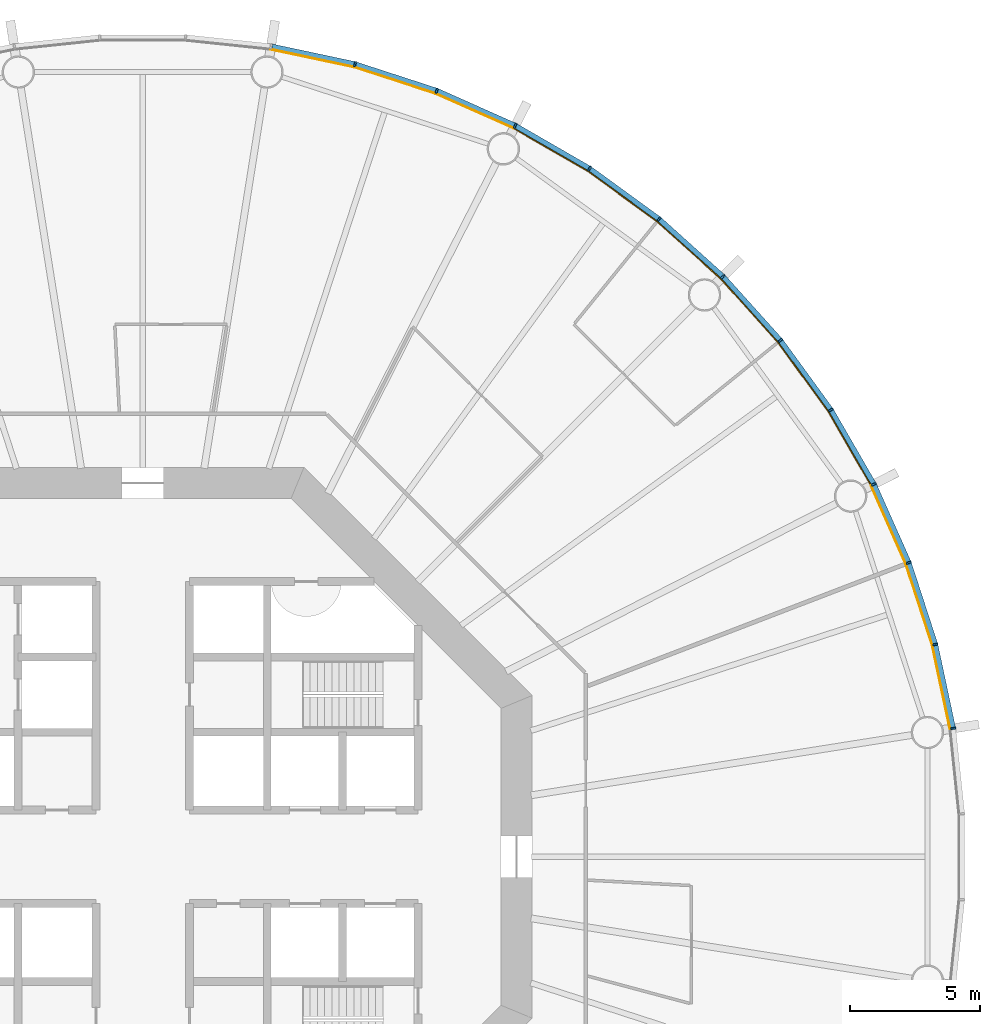
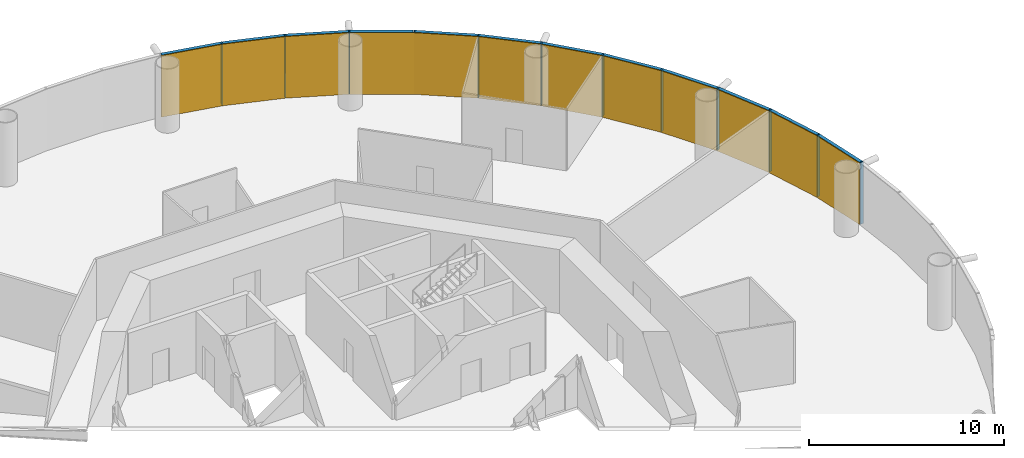
# One storey, part 12 of 13: 24 members, 4 curtain walls.
"""IFC4 building model written with IfcOpenShell, lengths in metres."""

import ifcopenshell
import ifcopenshell.guid

model = None  # the IFC model being written
_history = None  # IfcOwnerHistory: only IFC2X3 demands one
_inside = {}  # id of a spatial element -> (the spatial element, [elements in it])
_under = {}  # id of a project, library or spatial element -> (it, [spatial elements below it])
_declared = {}  # id of a project -> (the project, [libraries it declares])
_typed = {}  # id of a type object -> (the type object, [elements of that type])
_made_of = {}  # id of a material, layer set ... -> (it, [elements and type objects made of it])


def new_model(schema):
    """Start an empty IFC model of exactly this schema.

    Asked for "IFC4X3", IfcOpenShell would pick the latest addendum, in which some entities
    have other attributes; the version numbers below select the first issue.
    IFC2X3 requires an IfcOwnerHistory on every rooted entity: one is made here for all.
    """
    global model, _history
    if schema == "IFC4X3":
        model = ifcopenshell.file(schema_version=(4, 3, 0, 0))
    else:
        model = ifcopenshell.file(schema=schema)
    _inside.clear()
    _under.clear()
    _declared.clear()
    _typed.clear()
    _made_of.clear()
    _history = None
    if model.schema == "IFC2X3":
        org = make("IfcOrganization", Name="unknown")
        user = make(
            "IfcPersonAndOrganization",
            ThePerson=make("IfcPerson", FamilyName="unknown"),
            TheOrganization=org,
        )
        app = make(
            "IfcApplication",
            ApplicationDeveloper=org,
            Version="unknown",
            ApplicationFullName="unknown",
            ApplicationIdentifier="unknown",
        )
        _history = make(
            "IfcOwnerHistory",
            OwningUser=user,
            OwningApplication=app,
            ChangeAction="ADDED",
            CreationDate=0,
        )
    return model


def make(cls, **values):
    """One entity of the class cls with the attributes given. An attribute that is None is left unset."""
    return model.create_entity(
        cls, **{name: value for name, value in values.items() if value is not None}
    )


def rooted(cls, **values):
    """An entity with a GlobalId (a new one), such as an element, a storey or a relation."""
    return make(cls, GlobalId=ifcopenshell.guid.new(), OwnerHistory=_history, **values)


def si_unit(unit_type, name, prefix=None):
    """IfcSIUnit, for example si_unit("LENGTHUNIT", "METRE", prefix="MILLI")."""
    return make("IfcSIUnit", UnitType=unit_type, Prefix=prefix, Name=name)


def assignment(units):
    """IfcUnitAssignment: the units of a project."""
    return None if units is None else make("IfcUnitAssignment", Units=units)


def point(xyz):
    """IfcCartesianPoint."""
    return None if xyz is None else make("IfcCartesianPoint", Coordinates=xyz)


def direction(xyz):
    """IfcDirection."""
    return None if xyz is None else make("IfcDirection", DirectionRatios=xyz)


def frame(location, z_axis=None, x_axis=None):
    """IfcAxis2Placement3D, a coordinate frame: its origin and axes. An axis left out is left unset."""
    return make(
        "IfcAxis2Placement3D",
        Location=point(location),
        Axis=direction(z_axis),
        RefDirection=direction(x_axis),
    )


def frame_2d(location, x_axis=None):
    """IfcAxis2Placement2D, a coordinate frame in the plane: its origin and x axis."""
    return make(
        "IfcAxis2Placement2D", Location=point(location), RefDirection=direction(x_axis)
    )


def origin():
    """The frame at (0, 0, 0) with its axes left unset."""
    return frame((0.0, 0.0, 0.0))


def origin_2d():
    """The frame at (0, 0) in the plane with its x axis left unset."""
    return frame_2d((0.0, 0.0))


def place(relative_to, where):
    """IfcLocalPlacement: puts the frame where relative to a parent placement (None: the world)."""
    return make(
        "IfcLocalPlacement", PlacementRelTo=relative_to, RelativePlacement=where
    )


def context(
    kind, dimensions, precision=None, world=None, true_north=None, identifier=None
):
    """IfcGeometricRepresentationContext, for example the 3D "Model" context."""
    return make(
        "IfcGeometricRepresentationContext",
        ContextIdentifier=identifier,
        ContextType=kind,
        CoordinateSpaceDimension=dimensions,
        Precision=precision,
        WorldCoordinateSystem=world,
        TrueNorth=true_north,
    )


def subcontext(parent, identifier, kind, view, scale=None):
    """IfcGeometricRepresentationSubContext, for example "Body" below "Model"."""
    return make(
        "IfcGeometricRepresentationSubContext",
        ContextIdentifier=identifier,
        ContextType=kind,
        ParentContext=parent,
        TargetScale=scale,
        TargetView=view,
    )


def project(units=None, contexts=None):
    """IfcProject with its units and contexts."""
    return rooted(
        "IfcProject",
        Name="project",
        RepresentationContexts=contexts,
        UnitsInContext=assignment(units),
    )


def spatial(cls, under=None, at=None, **own):
    """A site, building, storey or space (cls), placed at a placement, below another one or the project."""
    s = rooted(cls, ObjectPlacement=at, **own)
    if under is not None:
        _under.setdefault(under.id(), (under, []))[1].append(s)
    return s


def polyline(points):
    """IfcPolyline through the points."""
    return make("IfcPolyline", Points=[point(p) for p in points])


def profile(cls, at=None, kind="AREA", **sizes):
    """A parametric profile (cls). Its sizes go by their IFC names, for example OverallWidth=200.0."""
    return make(cls, ProfileType=kind, Position=at, **sizes)


def rectangle(**sizes):
    """IfcRectangleProfileDef."""
    return profile("IfcRectangleProfileDef", **sizes)


def outline(outer, holes=None, kind="AREA"):
    """IfcArbitraryClosedProfileDef: a profile drawn as a closed curve; with holes, ...WithVoids."""
    if holes is None:
        return make("IfcArbitraryClosedProfileDef", ProfileType=kind, OuterCurve=outer)
    return make(
        "IfcArbitraryProfileDefWithVoids",
        ProfileType=kind,
        OuterCurve=outer,
        InnerCurves=holes,
    )


def extrude(swept, where, along, depth):
    """IfcExtrudedAreaSolid: the profile swept, set in the frame where, extruded along a direction by depth."""
    return make(
        "IfcExtrudedAreaSolid",
        SweptArea=swept,
        Position=where,
        ExtrudedDirection=direction(along),
        Depth=depth,
    )


def shape(context_of_items, identifier, shape_type, items):
    """IfcShapeRepresentation: the items that make up one representation, for example the "Body"."""
    return make(
        "IfcShapeRepresentation",
        ContextOfItems=context_of_items,
        RepresentationIdentifier=identifier,
        RepresentationType=shape_type,
        Items=items,
    )


def material(Name=None, Category=None):
    """IfcMaterial."""
    return make("IfcMaterial", Name=Name, Category=Category)


def layer(
    of_material, thickness, ventilated=None, Name=None, Category=None, Priority=None
):
    """IfcMaterialLayer: one layer of a wall or slab, of a material (None: an air gap)."""
    return make(
        "IfcMaterialLayer",
        Material=of_material,
        LayerThickness=thickness,
        IsVentilated=ventilated,
        Name=Name,
        Category=Category,
        Priority=Priority,
    )


def layer_set(layers, Name=None):
    """IfcMaterialLayerSet."""
    return make("IfcMaterialLayerSet", MaterialLayers=layers, LayerSetName=Name)


def material_profile(
    of_material, cross_section, Name=None, Category=None, Priority=None
):
    """IfcMaterialProfile: a cross section and its material."""
    return make(
        "IfcMaterialProfile",
        Name=Name,
        Material=of_material,
        Profile=cross_section,
        Priority=Priority,
        Category=Category,
    )


def profile_set(profiles, Name=None, composite=None):
    """IfcMaterialProfileSet."""
    return make(
        "IfcMaterialProfileSet",
        Name=Name,
        MaterialProfiles=profiles,
        CompositeProfile=composite,
    )


def made_of(thing, what):
    """Note that an element or type object is made of a material, layer set ...; save() writes the relation."""
    if what is not None:
        _made_of.setdefault(what.id(), (what, []))[1].append(thing)
    return thing


def type_object(cls, material=None, **own):
    """A type object (cls), such as IfcWallType, which elements share."""
    return made_of(rooted(cls, **own), material)


def element(
    cls,
    number,
    at=None,
    inside=None,
    cuts=None,
    type_object=None,
    material=None,
    context=None,
    identifier="Body",
    shape_type=None,
    held_by="IfcProductDefinitionShape",
    body=None,
    shapes=None,
    **own,
):
    """One element of the class cls, such as IfcWall. Its Tag is "e" and its number.

    at: its placement. inside: the storey or other place that contains it. cuts: it is an
    opening in that element (IfcRelVoidsElement). A single representation is given by context,
    identifier, shape_type and body (its items); several are given by shapes. held_by: the class
    of the entity that holds the representations. save() writes the other relations.
    """
    e = rooted(cls, Tag="e%d" % number, ObjectPlacement=at, **own)
    if body is not None:
        shapes = [shape(context, identifier, shape_type, body)]
    if shapes is not None:
        e.Representation = make(held_by, Representations=shapes)
    if inside is not None:
        _inside.setdefault(inside.id(), (inside, []))[1].append(e)
    if cuts is not None:
        rooted(
            "IfcRelVoidsElement", RelatingBuildingElement=cuts, RelatedOpeningElement=e
        )
    if type_object is not None:
        _typed.setdefault(type_object.id(), (type_object, []))[1].append(e)
    return made_of(e, material)


def aggregate(whole, parts):
    """IfcRelAggregates: a whole, such as a stair, and the parts it consists of."""
    return rooted("IfcRelAggregates", RelatingObject=whole, RelatedObjects=parts)


def save(model, path):
    """Write the relations noted so far, then the file.

    IfcRelAggregates (storeys below a building ...), IfcRelContainedInSpatialStructure (elements
    in a storey), IfcRelDefinesByType, IfcRelAssociatesMaterial and IfcRelDeclares: one each for
    every whole, place, type object, material and project.
    """
    for whole, parts in _under.values():
        aggregate(whole, parts)
    for where, things in _inside.values():
        rooted(
            "IfcRelContainedInSpatialStructure",
            RelatedElements=things,
            RelatingStructure=where,
        )
    for kind, things in _typed.values():
        rooted("IfcRelDefinesByType", RelatedObjects=things, RelatingType=kind)
    for what, things in _made_of.values():
        rooted("IfcRelAssociatesMaterial", RelatedObjects=things, RelatingMaterial=what)
    for by, libraries in _declared.values():
        rooted("IfcRelDeclares", RelatingContext=by, RelatedDefinitions=libraries)
    model.write(path)


model = new_model("IFC4")

# Units and contexts
model_context = context("Model", 3, precision=1e-05, world=origin(), true_north=direction((0.0, 1.0)))
body_context = subcontext(model_context, "Body", "Model", "MODEL_VIEW")
ifc_project = project(units=[si_unit("LENGTHUNIT", "METRE"), si_unit("AREAUNIT", "SQUARE_METRE"), si_unit("VOLUMEUNIT", "CUBIC_METRE"), si_unit("PLANEANGLEUNIT", "RADIAN"), si_unit("MASSUNIT", "GRAM", prefix="KILO")], contexts=[model_context])

# Member
ifc_material_1 = material(Name="Anodised aluminium", Category="aluminium")
ifc_material_profile_1 = material_profile(ifc_material_1, rectangle(XDim=0.070068359375, YDim=0.199951171875, at=origin_2d()), Name="Mullion 70 x 200 mm anodised aluminium")
ifc_profile_set_1 = profile_set([ifc_material_profile_1], Name="Anodised aluminium")
member_type_1 = type_object("IfcMemberType", Name="Mullion 70 x 200 mm anodised aluminium", PredefinedType="MULLION", material=ifc_profile_set_1)
site_placement = place(None, origin())
building_placement = place(site_placement, origin())
storey_placement = place(building_placement, frame((0.0, 0.0, 112.0)))
member_1_placement = place(storey_placement, frame((121.2109375, 84.943359375, 0.0), z_axis=(0.0, 0.0, 1.0), x_axis=(-0.15643446504, 0.987688340595, 0.0)))
member_1 = element("IfcMember", 1, at=member_1_placement, type_object=member_type_1, Name="MULLION L25-00", PredefinedType="MULLION", context=body_context, shape_type="SweptSolid", body=[
    extrude(rectangle(XDim=0.070068359375, YDim=0.199951171875, at=origin_2d()), origin(), (0.0, 0.0, 1.0), 3.85009765625),
])

member_2_placement = place(storey_placement, frame((120.523193359375, 88.1787109375, 0.0), z_axis=(0.0, 0.0, 1.0), x_axis=(-0.258819045103, 0.965925826289, 0.0)))
member_2 = element("IfcMember", 2, at=member_2_placement, type_object=member_type_1, Name="MULLION L25-01", PredefinedType="MULLION", context=body_context, shape_type="SweptSolid", body=[
    extrude(rectangle(XDim=0.070068359375, YDim=0.199951171875, at=origin_2d()), origin(), (0.0, 0.0, 1.0), 3.85009765625),
])

member_3_placement = place(storey_placement, frame((119.501220703125, 91.324462890625, 0.0), z_axis=(0.0, 0.0, 1.0), x_axis=(-0.358367949545, 0.933580426497, 0.0)))
member_3 = element("IfcMember", 3, at=member_3_placement, type_object=member_type_1, Name="MULLION L25-02", PredefinedType="MULLION", context=body_context, shape_type="SweptSolid", body=[
    extrude(rectangle(XDim=0.070068359375, YDim=0.199951171875, at=origin_2d()), origin(), (0.0, 0.0, 1.0), 3.85009765625),
])

member_4_placement = place(storey_placement, frame((118.15576171875, 94.34619140625, 0.0), z_axis=(0.0, 0.0, 1.0), x_axis=(-0.45399049974, 0.891006524188, 0.0)))
member_4 = element("IfcMember", 4, at=member_4_placement, type_object=member_type_1, Name="MULLION L25-03", PredefinedType="MULLION", context=body_context, shape_type="SweptSolid", body=[
    extrude(rectangle(XDim=0.070068359375, YDim=0.199951171875, at=origin_2d()), origin(), (0.0, 0.0, 1.0), 3.85009765625),
])

member_5_placement = place(storey_placement, frame((116.501953125, 97.210693359375, 0.0), z_axis=(0.0, 0.0, 1.0), x_axis=(-0.544639035015, 0.838670567945, 0.0)))
member_5 = element("IfcMember", 5, at=member_5_placement, type_object=member_type_1, Name="MULLION L25-04", PredefinedType="MULLION", context=body_context, shape_type="SweptSolid", body=[
    extrude(rectangle(XDim=0.070068359375, YDim=0.199951171875, at=origin_2d()), origin(), (0.0, 0.0, 1.0), 3.85009765625),
])

member_6_placement = place(storey_placement, frame((114.557861328125, 99.886474609375, 0.0), z_axis=(0.0, 0.0, 1.0), x_axis=(-0.62932039105, 0.777145961457, 0.0)))
member_6 = element("IfcMember", 6, at=member_6_placement, type_object=member_type_1, Name="MULLION L25-05", PredefinedType="MULLION", context=body_context, shape_type="SweptSolid", body=[
    extrude(rectangle(XDim=0.070068359375, YDim=0.199951171875, at=origin_2d()), origin(), (0.0, 0.0, 1.0), 3.85009765625),
])

member_7_placement = place(storey_placement, frame((112.344482421875, 102.344482421875, 0.0), z_axis=(0.0, 0.0, 1.0), x_axis=(-0.707106781187, 0.707106781187, 0.0)))
member_7 = element("IfcMember", 7, at=member_7_placement, type_object=member_type_1, Name="MULLION L25-06", PredefinedType="MULLION", context=body_context, shape_type="SweptSolid", body=[
    extrude(rectangle(XDim=0.070068359375, YDim=0.199951171875, at=origin_2d()), origin(), (0.0, 0.0, 1.0), 3.85009765625),
])

member_8_placement = place(storey_placement, frame((109.886474609375, 104.557861328125, 0.0), z_axis=(0.0, 0.0, 1.0), x_axis=(-0.777145961457, 0.62932039105, 0.0)))
member_8 = element("IfcMember", 8, at=member_8_placement, type_object=member_type_1, Name="MULLION L25-07", PredefinedType="MULLION", context=body_context, shape_type="SweptSolid", body=[
    extrude(rectangle(XDim=0.070068359375, YDim=0.199951171875, at=origin_2d()), origin(), (0.0, 0.0, 1.0), 3.85009765625),
])

member_9_placement = place(storey_placement, frame((107.210693359375, 106.501953125, 0.0), z_axis=(0.0, 0.0, 1.0), x_axis=(-0.838670567945, 0.544639035015, 0.0)))
member_9 = element("IfcMember", 9, at=member_9_placement, type_object=member_type_1, Name="MULLION L25-08", PredefinedType="MULLION", context=body_context, shape_type="SweptSolid", body=[
    extrude(rectangle(XDim=0.070068359375, YDim=0.199951171875, at=origin_2d()), origin(), (0.0, 0.0, 1.0), 3.85009765625),
])

member_10_placement = place(storey_placement, frame((104.34619140625, 108.15576171875, 0.0), z_axis=(0.0, 0.0, 1.0), x_axis=(-0.891006524188, 0.45399049974, 0.0)))
member_10 = element("IfcMember", 10, at=member_10_placement, type_object=member_type_1, Name="MULLION L25-09", PredefinedType="MULLION", context=body_context, shape_type="SweptSolid", body=[
    extrude(rectangle(XDim=0.070068359375, YDim=0.199951171875, at=origin_2d()), origin(), (0.0, 0.0, 1.0), 3.85009765625),
])

member_11_placement = place(storey_placement, frame((101.324462890625, 109.501220703125, 0.0), z_axis=(0.0, 0.0, 1.0), x_axis=(-0.933580426497, 0.358367949545, 0.0)))
member_11 = element("IfcMember", 11, at=member_11_placement, type_object=member_type_1, Name="MULLION L25-10", PredefinedType="MULLION", context=body_context, shape_type="SweptSolid", body=[
    extrude(rectangle(XDim=0.070068359375, YDim=0.199951171875, at=origin_2d()), origin(), (0.0, 0.0, 1.0), 3.85009765625),
])

member_12_placement = place(storey_placement, frame((98.1787109375, 110.523193359375, 0.0), z_axis=(0.0, 0.0, 1.0), x_axis=(-0.965925826289, 0.258819045103, 0.0)))
member_12 = element("IfcMember", 12, at=member_12_placement, type_object=member_type_1, Name="MULLION L25-11", PredefinedType="MULLION", context=body_context, shape_type="SweptSolid", body=[
    extrude(rectangle(XDim=0.070068359375, YDim=0.199951171875, at=origin_2d()), origin(), (0.0, 0.0, 1.0), 3.85009765625),
])

ifc_material_2 = material(Name="Anodised aluminium", Category="aluminium")
ifc_material_profile_2 = material_profile(ifc_material_2, rectangle(XDim=0.199951171875, YDim=0.18994140625, at=origin_2d()), Name="Transom 190 x 200 mm anodised aluminium")
ifc_profile_set_2 = profile_set([ifc_material_profile_2], Name="Anodised aluminium")
member_type_2 = type_object("IfcMemberType", Name="Transom 190 x 200 mm anodised aluminium", PredefinedType="USERDEFINED", material=ifc_profile_set_2)
member_13_placement = place(storey_placement, frame((121.20263671875, 84.982666015625, 3.7548828125), z_axis=(-0.207885898771, 0.978153082647, 0.0), x_axis=(-0.978153082647, -0.207885898771, 0.0)))
member_13 = element("IfcMember", 13, at=member_13_placement, type_object=member_type_2, Name="TRANSOM L25-00", ObjectType="TRANSOM", PredefinedType="USERDEFINED", context=body_context, shape_type="SweptSolid", body=[
    extrude(rectangle(XDim=0.199951171875, YDim=0.18994140625, at=origin_2d()), origin(), (0.0, 0.0, 1.0), 3.227294921875),
])

member_14_placement = place(storey_placement, frame((120.510986328125, 88.217041015625, 3.7548828125), z_axis=(-0.309046726844, 0.951046855117, 0.0), x_axis=(-0.951046855117, -0.309046726844, 0.0)))
member_14 = element("IfcMember", 14, at=member_14_placement, type_object=member_type_2, Name="TRANSOM L25-01", ObjectType="TRANSOM", PredefinedType="USERDEFINED", context=body_context, shape_type="SweptSolid", body=[
    extrude(rectangle(XDim=0.199951171875, YDim=0.18994140625, at=origin_2d()), origin(), (0.0, 0.0, 1.0), 3.22705078125),
])

member_15_placement = place(storey_placement, frame((119.48486328125, 91.361328125, 3.7548828125), z_axis=(-0.406728032322, 0.913549291349, 0.0), x_axis=(-0.913549291349, -0.406728032322, 0.0)))
member_15 = element("IfcMember", 15, at=member_15_placement, type_object=member_type_2, Name="TRANSOM L25-02", ObjectType="TRANSOM", PredefinedType="USERDEFINED", context=body_context, shape_type="SweptSolid", body=[
    extrude(rectangle(XDim=0.199951171875, YDim=0.18994140625, at=origin_2d()), origin(), (0.0, 0.0, 1.0), 3.22705078125),
])

member_16_placement = place(storey_placement, frame((118.1357421875, 94.381103515625, 3.7548828125), z_axis=(-0.500004055213, 0.866023062494, 0.0), x_axis=(-0.866023062494, -0.500004055213, 0.0)))
member_16 = element("IfcMember", 16, at=member_16_placement, type_object=member_type_2, Name="TRANSOM L25-03", ObjectType="TRANSOM", PredefinedType="USERDEFINED", context=body_context, shape_type="SweptSolid", body=[
    extrude(rectangle(XDim=0.199951171875, YDim=0.18994140625, at=origin_2d()), origin(), (0.0, 0.0, 1.0), 3.22705078125),
])

member_17_placement = place(storey_placement, frame((116.478515625, 97.2431640625, 3.7548828125), z_axis=(-0.587802790201, 0.809004252048, 0.0), x_axis=(-0.809004252048, -0.587802790201, 0.0)))
member_17 = element("IfcMember", 17, at=member_17_placement, type_object=member_type_2, Name="TRANSOM L25-04", ObjectType="TRANSOM", PredefinedType="USERDEFINED", context=body_context, shape_type="SweptSolid", body=[
    extrude(rectangle(XDim=0.199951171875, YDim=0.18994140625, at=origin_2d()), origin(), (0.0, 0.0, 1.0), 3.227294921875),
])

member_18_placement = place(storey_placement, frame((114.531005859375, 99.91650390625, 3.7548828125), z_axis=(-0.669144438484, 0.743132370743, 0.0), x_axis=(-0.743132370743, -0.669144438484, 0.0)))
member_18 = element("IfcMember", 18, at=member_18_placement, type_object=member_type_2, Name="TRANSOM L25-05", ObjectType="TRANSOM", PredefinedType="USERDEFINED", context=body_context, shape_type="SweptSolid", body=[
    extrude(rectangle(XDim=0.199951171875, YDim=0.18994140625, at=origin_2d()), origin(), (0.0, 0.0, 1.0), 3.22705078125),
])

member_19_placement = place(storey_placement, frame((112.314697265625, 102.37158203125, 3.7548828125), z_axis=(-0.743132370743, 0.669144438484, 0.0), x_axis=(-0.669144438484, -0.743132370743, 0.0)))
member_19 = element("IfcMember", 19, at=member_19_placement, type_object=member_type_2, Name="TRANSOM L25-06", ObjectType="TRANSOM", PredefinedType="USERDEFINED", context=body_context, shape_type="SweptSolid", body=[
    extrude(rectangle(XDim=0.199951171875, YDim=0.18994140625, at=origin_2d()), origin(), (0.0, 0.0, 1.0), 3.22705078125),
])

member_20_placement = place(storey_placement, frame((109.85400390625, 104.58154296875, 3.7548828125), z_axis=(-0.809004252048, 0.587802790201, 0.0), x_axis=(-0.587802790201, -0.809004252048, 0.0)))
member_20 = element("IfcMember", 20, at=member_20_placement, type_object=member_type_2, Name="TRANSOM L25-07", ObjectType="TRANSOM", PredefinedType="USERDEFINED", context=body_context, shape_type="SweptSolid", body=[
    extrude(rectangle(XDim=0.199951171875, YDim=0.18994140625, at=origin_2d()), origin(), (0.0, 0.0, 1.0), 3.227294921875),
])

member_21_placement = place(storey_placement, frame((107.17578125, 106.522216796875, 3.7548828125), z_axis=(-0.866023062494, 0.500004055213, 0.0), x_axis=(-0.500004055213, -0.866023062494, 0.0)))
member_21 = element("IfcMember", 21, at=member_21_placement, type_object=member_type_2, Name="TRANSOM L25-08", ObjectType="TRANSOM", PredefinedType="USERDEFINED", context=body_context, shape_type="SweptSolid", body=[
    extrude(rectangle(XDim=0.199951171875, YDim=0.18994140625, at=origin_2d()), origin(), (0.0, 0.0, 1.0), 3.22705078125),
])

member_22_placement = place(storey_placement, frame((104.309326171875, 108.17236328125, 3.7548828125), z_axis=(-0.913549291349, 0.406728032322, 0.0), x_axis=(-0.406728032322, -0.913549291349, 0.0)))
member_22 = element("IfcMember", 22, at=member_22_placement, type_object=member_type_2, Name="TRANSOM L25-09", ObjectType="TRANSOM", PredefinedType="USERDEFINED", context=body_context, shape_type="SweptSolid", body=[
    extrude(rectangle(XDim=0.199951171875, YDim=0.18994140625, at=origin_2d()), origin(), (0.0, 0.0, 1.0), 3.22705078125),
])

member_23_placement = place(storey_placement, frame((101.2861328125, 109.513671875, 3.7548828125), z_axis=(-0.951046855117, 0.309046726844, 0.0), x_axis=(-0.309046726844, -0.951046855117, 0.0)))
member_23 = element("IfcMember", 23, at=member_23_placement, type_object=member_type_2, Name="TRANSOM L25-10", ObjectType="TRANSOM", PredefinedType="USERDEFINED", context=body_context, shape_type="SweptSolid", body=[
    extrude(rectangle(XDim=0.199951171875, YDim=0.18994140625, at=origin_2d()), origin(), (0.0, 0.0, 1.0), 3.22705078125),
])

member_24_placement = place(storey_placement, frame((98.139404296875, 110.53173828125, 3.7548828125), z_axis=(-0.978153082647, 0.207885898771, 0.0), x_axis=(-0.207885898771, -0.978153082647, 0.0)))
member_24 = element("IfcMember", 24, at=member_24_placement, type_object=member_type_2, Name="TRANSOM L25-11", ObjectType="TRANSOM", PredefinedType="USERDEFINED", context=body_context, shape_type="SweptSolid", body=[
    extrude(rectangle(XDim=0.199951171875, YDim=0.18994140625, at=origin_2d()), origin(), (0.0, 0.0, 1.0), 3.227294921875),
])

# Site, building, storey
site = spatial("IfcSite", under=ifc_project, at=site_placement, CompositionType="ELEMENT")
building = spatial("IfcBuilding", under=site, at=building_placement, Name="Entoto Ring Tower", CompositionType="ELEMENT")
storey = spatial("IfcBuildingStorey", under=building, at=storey_placement, Name="L25", CompositionType="ELEMENT", Elevation=112.0)

# Curtain wall
ifc_material_3 = material(Name="Clear low-iron glass", Category="glass")
ifc_layer = layer(ifc_material_3, 0.035888671875)
ifc_layer_set = layer_set([ifc_layer], Name="Clear low-iron glass")
curtain_wall_type = type_object("IfcCurtainWallType", Name="Curtain wall system CW2 glazing 36 mm", PredefinedType="NOTDEFINED", material=ifc_layer_set)
curtain_wall_1_placement = place(storey_placement, origin())
curtain_wall_1 = element("IfcCurtainWall", 25, at=curtain_wall_1_placement, inside=storey, type_object=curtain_wall_type, Name="CW2 L25-01", PredefinedType="NOTDEFINED", context=body_context, shape_type="SweptSolid", body=[
    extrude(outline(polyline([(121.1123046875, 84.927734375), (120.4267578125, 88.15283203125), (119.40771484375, 91.28857421875), (118.066650390625, 94.30078125), (118.03466796875, 94.284423828125), (119.3740234375, 91.275634765625), (120.391845703125, 88.1435546875), (121.07666015625, 84.922119140625), (121.1123046875, 84.927734375)])), origin(), (0.0, 0.0, 1.0), 3.85009765625),
])

aggregate(curtain_wall_1, [member_1, member_2, member_3, member_13, member_14, member_15])

curtain_wall_2_placement = place(storey_placement, origin())
curtain_wall_2 = element("IfcCurtainWall", 26, at=curtain_wall_2_placement, inside=storey, type_object=curtain_wall_type, Name="CW2 L25-02", PredefinedType="NOTDEFINED", context=body_context, shape_type="SweptSolid", body=[
    extrude(outline(polyline([(118.066650390625, 94.30078125), (116.418212890625, 97.15625), (114.47998046875, 99.823486328125), (112.27392578125, 102.27392578125), (112.248291015625, 102.248291015625), (114.4521484375, 99.801025390625), (116.387939453125, 97.136474609375), (118.03466796875, 94.284423828125), (118.066650390625, 94.30078125)])), origin(), (0.0, 0.0, 1.0), 3.85009765625),
])

aggregate(curtain_wall_2, [member_4, member_5, member_6, member_16, member_17, member_18])

curtain_wall_3_placement = place(storey_placement, origin())
curtain_wall_3 = element("IfcCurtainWall", 27, at=curtain_wall_3_placement, inside=storey, type_object=curtain_wall_type, Name="CW2 L25-03", PredefinedType="NOTDEFINED", context=body_context, shape_type="SweptSolid", body=[
    extrude(outline(polyline([(112.27392578125, 102.27392578125), (109.823486328125, 104.47998046875), (107.15625, 106.418212890625), (104.30078125, 108.066650390625), (104.284423828125, 108.03466796875), (107.136474609375, 106.387939453125), (109.801025390625, 104.4521484375), (112.248291015625, 102.248291015625), (112.27392578125, 102.27392578125)])), origin(), (0.0, 0.0, 1.0), 3.85009765625),
])

aggregate(curtain_wall_3, [member_7, member_8, member_9, member_19, member_20, member_21])

curtain_wall_4_placement = place(storey_placement, origin())
curtain_wall_4 = element("IfcCurtainWall", 28, at=curtain_wall_4_placement, inside=storey, type_object=curtain_wall_type, Name="CW2 L25-04", PredefinedType="NOTDEFINED", context=body_context, shape_type="SweptSolid", body=[
    extrude(outline(polyline([(104.30078125, 108.066650390625), (101.28857421875, 109.40771484375), (98.15283203125, 110.4267578125), (94.927734375, 111.1123046875), (94.922119140625, 111.07666015625), (98.1435546875, 110.391845703125), (101.275634765625, 109.3740234375), (104.284423828125, 108.03466796875), (104.30078125, 108.066650390625)])), origin(), (0.0, 0.0, 1.0), 3.85009765625),
])

aggregate(curtain_wall_4, [member_10, member_11, member_12, member_22, member_23, member_24])

save(model, "model.ifc")
